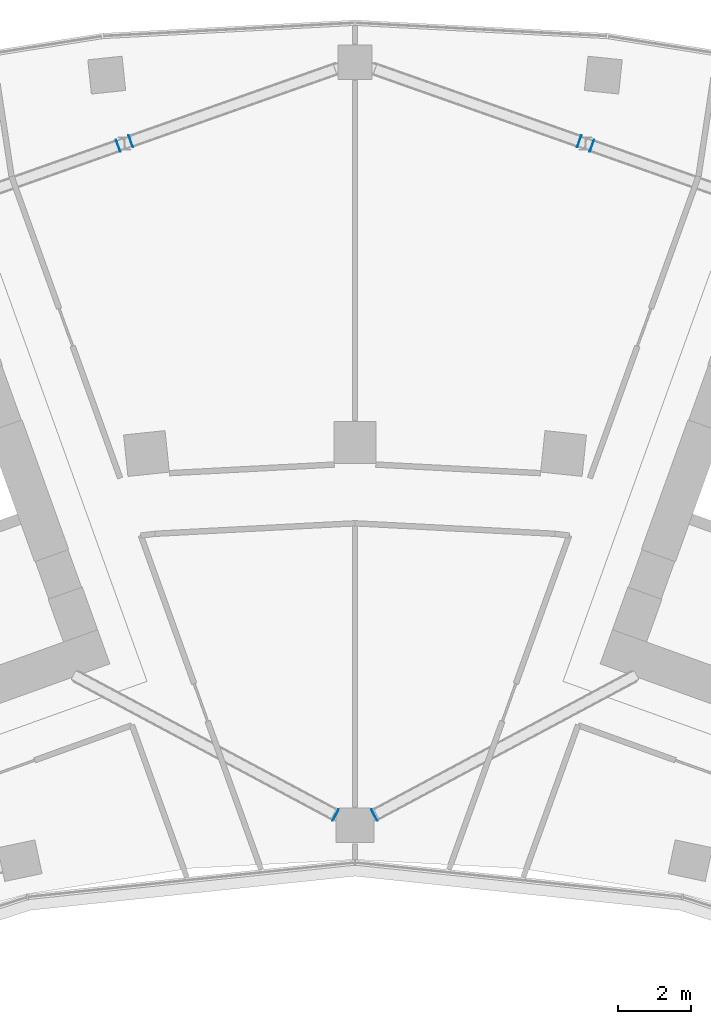
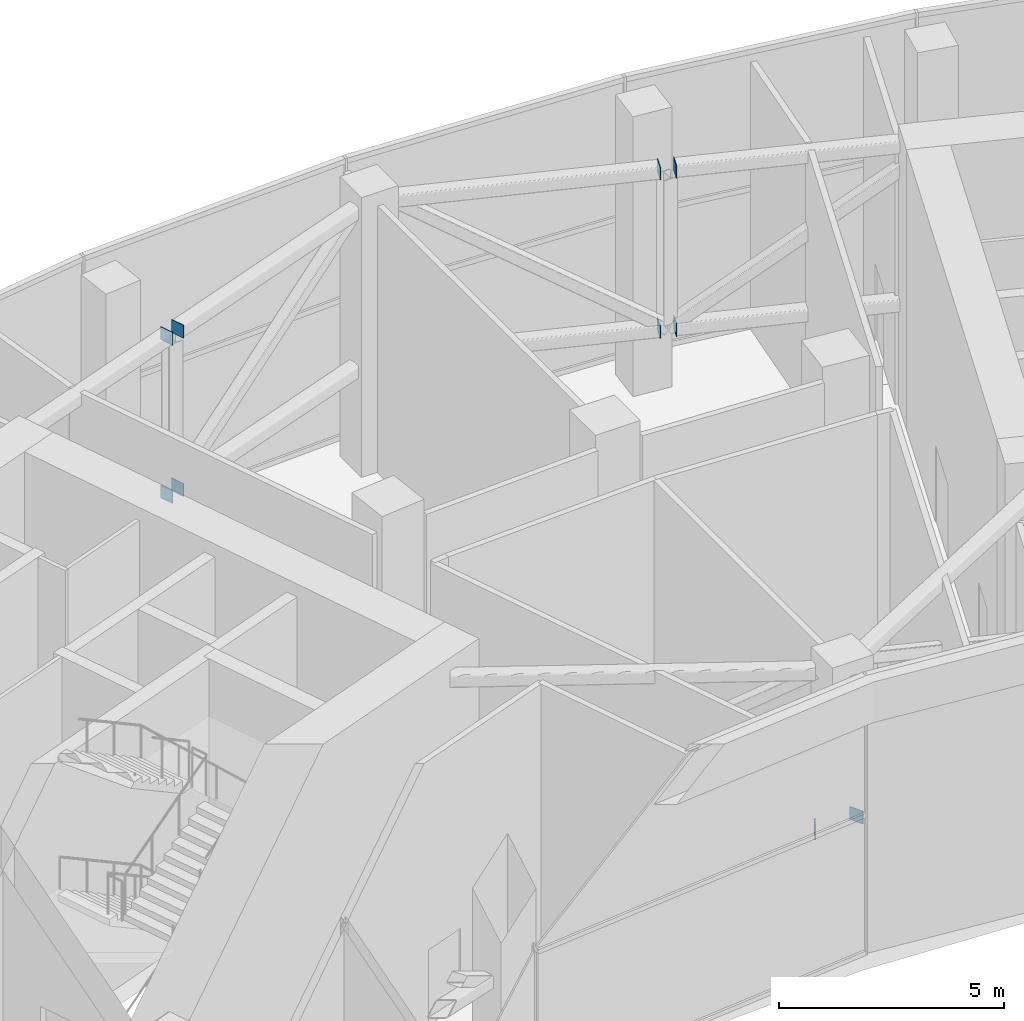
# One storey, part 18 of 26: 10 plates.
"""IFC4 building model written with IfcOpenShell, lengths in metres."""

from ifc_helpers import new_model, si_unit, direction, frame, origin, origin_2d, place, context, subcontext, project, spatial, rectangle, extrude, material, layer, layer_set, type_object, element, save


model = new_model("IFC4")

# Units and contexts
model_context = context("Model", 3, precision=1e-05, world=origin(), true_north=direction((0.0, 1.0)))
body_context = subcontext(model_context, "Body", "Model", "MODEL_VIEW")
ifc_project = project(units=[si_unit("LENGTHUNIT", "METRE"), si_unit("AREAUNIT", "SQUARE_METRE"), si_unit("VOLUMEUNIT", "CUBIC_METRE"), si_unit("PLANEANGLEUNIT", "RADIAN"), si_unit("MASSUNIT", "GRAM", prefix="KILO")], contexts=[model_context])

# Site, building, storey
site_placement = place(None, origin())
site = spatial("IfcSite", under=ifc_project, at=site_placement, CompositionType="ELEMENT")
building_placement = place(site_placement, origin())
building = spatial("IfcBuilding", under=site, at=building_placement, Name="Stone Belt Terrace Tower", CompositionType="ELEMENT")
storey_placement = place(building_placement, frame((0.0, 0.0, 250.39990234375)))
storey = spatial("IfcBuildingStorey", under=building, at=storey_placement, Name="L61", CompositionType="ELEMENT", Elevation=250.39990234375)

# Plates
ifc_material = material(Name="Structural steel C345", Category="steel")
ifc_layer = layer(ifc_material, 0.02001953125)
ifc_layer_set = layer_set([ifc_layer], Name="Chord end plate 20")
plate_type = type_object("IfcPlateType", Name="Chord end plate 20", PredefinedType="SHEET", material=ifc_layer_set)
for number, where, z_axis, x_axis, name in (
    (1, (-0.53369140625, 44.73046875, 2.60009765625), (0.0, 0.0, 1.0), (0.881844737677, -0.471539880213, 0.0), "Chord end plate"),
    (2, (-6.182373046875, 63.306884765625, 6.900146484375), (0.0, 0.0, 1.0), (-0.942994021119, -0.332809669531, 0.0), "Chord end plate"),
    (3, (-6.182373046875, 63.306884765625, 2.60009765625), (0.0, 0.0, 1.0), (-0.942994021119, -0.332809669531, 0.0), "Chord end plate"),
    (4, (-6.529296875, 63.1845703125, 6.900146484375), (0.0, 0.0, 1.0), (0.942994021119, 0.332809669531, 0.0), "Chord end plate"),
    (5, (-6.529296875, 63.1845703125, 2.60009765625), (0.0, 0.0, 1.0), (0.942994021119, 0.332809669531, 0.0), "Chord end plate"),
    (6, (0.53369140625, 44.73046875, 2.60009765625), (0.0, 0.0, 1.0), (-0.881844737677, -0.471539880213, 0.0), "Chord end plate"),
    (7, (6.182373046875, 63.306884765625, 6.900146484375), (0.0, 0.0, 1.0), (0.942994021119, -0.332809669531, 0.0), "Chord end plate"),
    (8, (6.182373046875, 63.306884765625, 2.60009765625), (0.0, 0.0, 1.0), (0.942994021119, -0.332809669531, 0.0), "Chord end plate"),
    (9, (6.529296875, 63.1845703125, 6.900146484375), (0.0, 0.0, 1.0), (-0.942994021119, 0.332809669531, 0.0), "Chord end plate"),
    (10, (6.529296875, 63.1845703125, 2.60009765625), (0.0, 0.0, 1.0), (-0.942994021119, 0.332809669531, 0.0), "Chord end plate"),
):
    element("IfcPlate", number, at=place(storey_placement, frame(where, z_axis=z_axis, x_axis=x_axis)), inside=storey, type_object=plate_type, Name=name, PredefinedType="SHEET", context=body_context, shape_type="SweptSolid", body=[
        extrude(rectangle(XDim=0.02001953125, YDim=0.35009765625, at=origin_2d()), origin(), (0.0, 0.0, 1.0), 0.35009765625),
    ])

save(model, "model.ifc")
